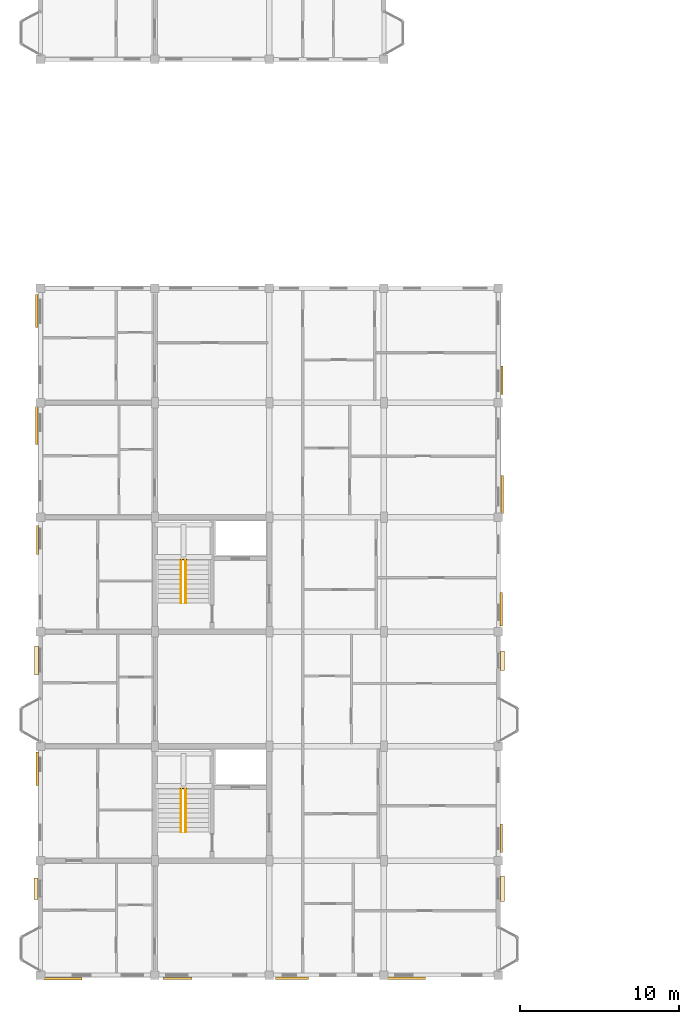
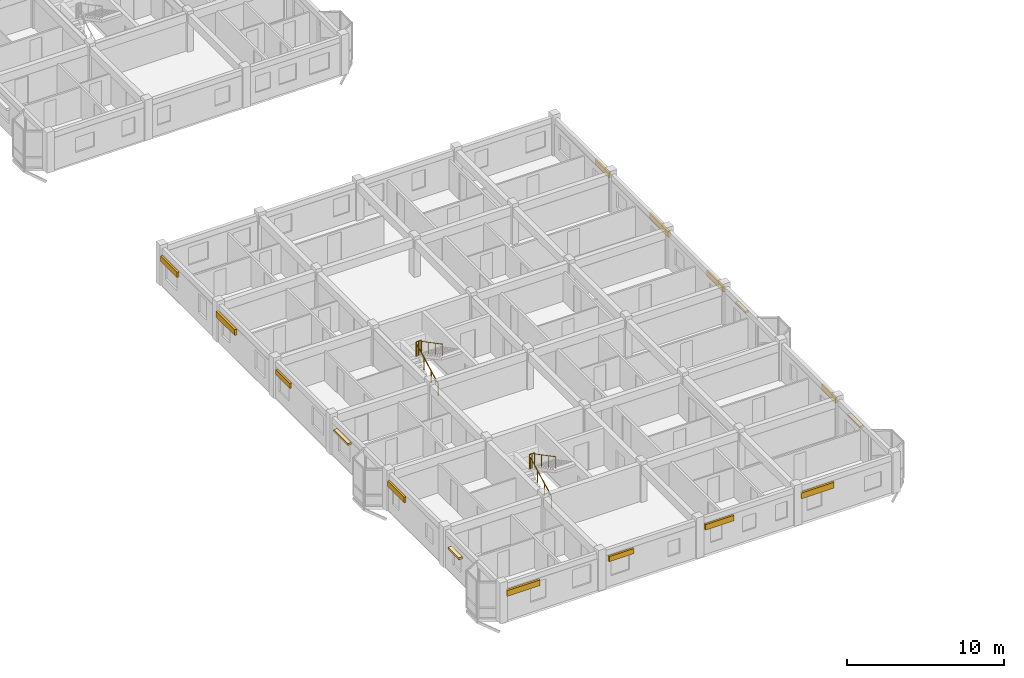
# One storey, part 74 of 77: 12 shading devices, 6 railings, 4 coverings.
"""IFC4 building model written with IfcOpenShell, lengths in metres."""

import ifcopenshell
import ifcopenshell.guid

model = None  # the IFC model being written
_history = None  # IfcOwnerHistory: only IFC2X3 demands one
_inside = {}  # id of a spatial element -> (the spatial element, [elements in it])
_under = {}  # id of a project, library or spatial element -> (it, [spatial elements below it])
_declared = {}  # id of a project -> (the project, [libraries it declares])
_typed = {}  # id of a type object -> (the type object, [elements of that type])
_made_of = {}  # id of a material, layer set ... -> (it, [elements and type objects made of it])


def new_model(schema):
    """Start an empty IFC model of exactly this schema.

    Asked for "IFC4X3", IfcOpenShell would pick the latest addendum, in which some entities
    have other attributes; the version numbers below select the first issue.
    IFC2X3 requires an IfcOwnerHistory on every rooted entity: one is made here for all.
    """
    global model, _history
    if schema == "IFC4X3":
        model = ifcopenshell.file(schema_version=(4, 3, 0, 0))
    else:
        model = ifcopenshell.file(schema=schema)
    _inside.clear()
    _under.clear()
    _declared.clear()
    _typed.clear()
    _made_of.clear()
    _history = None
    if model.schema == "IFC2X3":
        org = make("IfcOrganization", Name="unknown")
        user = make(
            "IfcPersonAndOrganization",
            ThePerson=make("IfcPerson", FamilyName="unknown"),
            TheOrganization=org,
        )
        app = make(
            "IfcApplication",
            ApplicationDeveloper=org,
            Version="unknown",
            ApplicationFullName="unknown",
            ApplicationIdentifier="unknown",
        )
        _history = make(
            "IfcOwnerHistory",
            OwningUser=user,
            OwningApplication=app,
            ChangeAction="ADDED",
            CreationDate=0,
        )
    return model


def make(cls, **values):
    """One entity of the class cls with the attributes given. An attribute that is None is left unset."""
    return model.create_entity(
        cls, **{name: value for name, value in values.items() if value is not None}
    )


def rooted(cls, **values):
    """An entity with a GlobalId (a new one), such as an element, a storey or a relation."""
    return make(cls, GlobalId=ifcopenshell.guid.new(), OwnerHistory=_history, **values)


def si_unit(unit_type, name, prefix=None):
    """IfcSIUnit, for example si_unit("LENGTHUNIT", "METRE", prefix="MILLI")."""
    return make("IfcSIUnit", UnitType=unit_type, Prefix=prefix, Name=name)


def assignment(units):
    """IfcUnitAssignment: the units of a project."""
    return None if units is None else make("IfcUnitAssignment", Units=units)


def point(xyz):
    """IfcCartesianPoint."""
    return None if xyz is None else make("IfcCartesianPoint", Coordinates=xyz)


def direction(xyz):
    """IfcDirection."""
    return None if xyz is None else make("IfcDirection", DirectionRatios=xyz)


def frame(location, z_axis=None, x_axis=None):
    """IfcAxis2Placement3D, a coordinate frame: its origin and axes. An axis left out is left unset."""
    return make(
        "IfcAxis2Placement3D",
        Location=point(location),
        Axis=direction(z_axis),
        RefDirection=direction(x_axis),
    )


def frame_2d(location, x_axis=None):
    """IfcAxis2Placement2D, a coordinate frame in the plane: its origin and x axis."""
    return make(
        "IfcAxis2Placement2D", Location=point(location), RefDirection=direction(x_axis)
    )


def origin():
    """The frame at (0, 0, 0) with its axes left unset."""
    return frame((0.0, 0.0, 0.0))


def origin_2d():
    """The frame at (0, 0) in the plane with its x axis left unset."""
    return frame_2d((0.0, 0.0))


def place(relative_to, where):
    """IfcLocalPlacement: puts the frame where relative to a parent placement (None: the world)."""
    return make(
        "IfcLocalPlacement", PlacementRelTo=relative_to, RelativePlacement=where
    )


def context(
    kind, dimensions, precision=None, world=None, true_north=None, identifier=None
):
    """IfcGeometricRepresentationContext, for example the 3D "Model" context."""
    return make(
        "IfcGeometricRepresentationContext",
        ContextIdentifier=identifier,
        ContextType=kind,
        CoordinateSpaceDimension=dimensions,
        Precision=precision,
        WorldCoordinateSystem=world,
        TrueNorth=true_north,
    )


def subcontext(parent, identifier, kind, view, scale=None):
    """IfcGeometricRepresentationSubContext, for example "Body" below "Model"."""
    return make(
        "IfcGeometricRepresentationSubContext",
        ContextIdentifier=identifier,
        ContextType=kind,
        ParentContext=parent,
        TargetScale=scale,
        TargetView=view,
    )


def project(units=None, contexts=None):
    """IfcProject with its units and contexts."""
    return rooted(
        "IfcProject",
        Name="project",
        RepresentationContexts=contexts,
        UnitsInContext=assignment(units),
    )


def spatial(cls, under=None, at=None, **own):
    """A site, building, storey or space (cls), placed at a placement, below another one or the project."""
    s = rooted(cls, ObjectPlacement=at, **own)
    if under is not None:
        _under.setdefault(under.id(), (under, []))[1].append(s)
    return s


def profile(cls, at=None, kind="AREA", **sizes):
    """A parametric profile (cls). Its sizes go by their IFC names, for example OverallWidth=200.0."""
    return make(cls, ProfileType=kind, Position=at, **sizes)


def rectangle(**sizes):
    """IfcRectangleProfileDef."""
    return profile("IfcRectangleProfileDef", **sizes)


def circle(**sizes):
    """IfcCircleProfileDef."""
    return profile("IfcCircleProfileDef", **sizes)


def extrude(swept, where, along, depth):
    """IfcExtrudedAreaSolid: the profile swept, set in the frame where, extruded along a direction by depth."""
    return make(
        "IfcExtrudedAreaSolid",
        SweptArea=swept,
        Position=where,
        ExtrudedDirection=direction(along),
        Depth=depth,
    )


def shape(context_of_items, identifier, shape_type, items):
    """IfcShapeRepresentation: the items that make up one representation, for example the "Body"."""
    return make(
        "IfcShapeRepresentation",
        ContextOfItems=context_of_items,
        RepresentationIdentifier=identifier,
        RepresentationType=shape_type,
        Items=items,
    )


def material(Name=None, Category=None):
    """IfcMaterial."""
    return make("IfcMaterial", Name=Name, Category=Category)


def layer(
    of_material, thickness, ventilated=None, Name=None, Category=None, Priority=None
):
    """IfcMaterialLayer: one layer of a wall or slab, of a material (None: an air gap)."""
    return make(
        "IfcMaterialLayer",
        Material=of_material,
        LayerThickness=thickness,
        IsVentilated=ventilated,
        Name=Name,
        Category=Category,
        Priority=Priority,
    )


def layer_set(layers, Name=None):
    """IfcMaterialLayerSet."""
    return make("IfcMaterialLayerSet", MaterialLayers=layers, LayerSetName=Name)


def made_of(thing, what):
    """Note that an element or type object is made of a material, layer set ...; save() writes the relation."""
    if what is not None:
        _made_of.setdefault(what.id(), (what, []))[1].append(thing)
    return thing


def type_object(cls, material=None, **own):
    """A type object (cls), such as IfcWallType, which elements share."""
    return made_of(rooted(cls, **own), material)


def element(
    cls,
    number,
    at=None,
    inside=None,
    cuts=None,
    type_object=None,
    material=None,
    context=None,
    identifier="Body",
    shape_type=None,
    held_by="IfcProductDefinitionShape",
    body=None,
    shapes=None,
    **own,
):
    """One element of the class cls, such as IfcWall. Its Tag is "e" and its number.

    at: its placement. inside: the storey or other place that contains it. cuts: it is an
    opening in that element (IfcRelVoidsElement). A single representation is given by context,
    identifier, shape_type and body (its items); several are given by shapes. held_by: the class
    of the entity that holds the representations. save() writes the other relations.
    """
    e = rooted(cls, Tag="e%d" % number, ObjectPlacement=at, **own)
    if body is not None:
        shapes = [shape(context, identifier, shape_type, body)]
    if shapes is not None:
        e.Representation = make(held_by, Representations=shapes)
    if inside is not None:
        _inside.setdefault(inside.id(), (inside, []))[1].append(e)
    if cuts is not None:
        rooted(
            "IfcRelVoidsElement", RelatingBuildingElement=cuts, RelatedOpeningElement=e
        )
    if type_object is not None:
        _typed.setdefault(type_object.id(), (type_object, []))[1].append(e)
    return made_of(e, material)


def aggregate(whole, parts):
    """IfcRelAggregates: a whole, such as a stair, and the parts it consists of."""
    return rooted("IfcRelAggregates", RelatingObject=whole, RelatedObjects=parts)


def save(model, path):
    """Write the relations noted so far, then the file.

    IfcRelAggregates (storeys below a building ...), IfcRelContainedInSpatialStructure (elements
    in a storey), IfcRelDefinesByType, IfcRelAssociatesMaterial and IfcRelDeclares: one each for
    every whole, place, type object, material and project.
    """
    for whole, parts in _under.values():
        aggregate(whole, parts)
    for where, things in _inside.values():
        rooted(
            "IfcRelContainedInSpatialStructure",
            RelatedElements=things,
            RelatingStructure=where,
        )
    for kind, things in _typed.values():
        rooted("IfcRelDefinesByType", RelatedObjects=things, RelatingType=kind)
    for what, things in _made_of.values():
        rooted("IfcRelAssociatesMaterial", RelatedObjects=things, RelatingMaterial=what)
    for by, libraries in _declared.values():
        rooted("IfcRelDeclares", RelatingContext=by, RelatedDefinitions=libraries)
    model.write(path)


model = new_model("IFC4")

# Units and contexts
model_context = context("Model", 3, precision=1e-05, world=origin(), true_north=direction((0.0, 1.0)))
body_context = subcontext(model_context, "Body", "Model", "MODEL_VIEW")
ifc_project = project(units=[si_unit("LENGTHUNIT", "METRE"), si_unit("AREAUNIT", "SQUARE_METRE"), si_unit("VOLUMEUNIT", "CUBIC_METRE"), si_unit("PLANEANGLEUNIT", "RADIAN"), si_unit("MASSUNIT", "GRAM", prefix="KILO"), si_unit("THERMODYNAMICTEMPERATUREUNIT", "KELVIN"), si_unit("POWERUNIT", "WATT")], contexts=[model_context])

# Site, building, storey
site_placement = place(None, origin())
site = spatial("IfcSite", under=ifc_project, at=site_placement, CompositionType="ELEMENT")
building_placement = place(site_placement, origin())
building = spatial("IfcBuilding", under=site, at=building_placement, Name="Tavuni Mirador Residences", CompositionType="ELEMENT")
storey_placement = place(building_placement, frame((0.0, 0.0, 10.800048828125)))
storey = spatial("IfcBuildingStorey", under=building, at=storey_placement, Name="L03", CompositionType="ELEMENT", Elevation=10.800048828125)

# Coverings
ifc_material_1 = material(Name="Natural coral limestone", Category="masonry")
ifc_layer = layer(ifc_material_1, 0.054931640625, Name="Natural coral limestone", Category="masonry")
ifc_layer_set = layer_set([ifc_layer], Name="Natural coral limestone")
covering_type = type_object("IfcCoveringType", Name="CVT-CLAD-CORAL", PredefinedType="CLADDING", material=ifc_layer_set)
covering_1_placement = place(storey_placement, frame((32.672119140625, 12.632568359375, 1.9501953125), z_axis=(0.0, 0.0, 1.0), x_axis=(0.0, 1.0, 0.0)))
element("IfcCovering", 1, at=covering_1_placement, inside=storey, type_object=covering_type, Name="HOOD-0091", PredefinedType="CLADDING", context=body_context, shape_type="SweptSolid", body=[
    extrude(rectangle(XDim=1.60009765625, YDim=0.260009765625, at=origin_2d()), origin(), (0.0, 0.0, 1.0), 0.159912109375),
])
covering_2_placement = place(storey_placement, frame((32.654541015625, 26.982421875, 2.06005859375), z_axis=(0.0, 0.0, 1.0), x_axis=(0.0, 1.0, 0.0)))
element("IfcCovering", 2, at=covering_2_placement, inside=storey, type_object=covering_type, Name="HOOD-0092", PredefinedType="CLADDING", context=body_context, shape_type="SweptSolid", body=[
    extrude(rectangle(XDim=1.239990234375, YDim=0.260009765625, at=origin_2d()), origin(), (0.0, 0.0, 1.0), 0.159912109375),
])
covering_3_placement = place(storey_placement, frame((3.345458984375, 26.99755859375, 2.240234375), z_axis=(0.0, 0.0, 1.0), x_axis=(0.0, -1.0, 0.0)))
element("IfcCovering", 3, at=covering_3_placement, inside=storey, type_object=covering_type, Name="HOOD-0093", PredefinedType="CLADDING", context=body_context, shape_type="SweptSolid", body=[
    extrude(rectangle(XDim=1.81005859375, YDim=0.260009765625, at=origin_2d()), origin(), (0.0, 0.0, 1.0), 0.159912109375),
])
covering_4_placement = place(storey_placement, frame((3.327880859375, 12.6474609375, 1.9501953125), z_axis=(0.0, 0.0, 1.0), x_axis=(0.0, -1.0, 0.0)))
element("IfcCovering", 4, at=covering_4_placement, inside=storey, type_object=covering_type, Name="HOOD-0094", PredefinedType="CLADDING", context=body_context, shape_type="SweptSolid", body=[
    extrude(rectangle(XDim=1.360107421875, YDim=0.260009765625, at=origin_2d()), origin(), (0.0, 0.0, 1.0), 0.159912109375),
])

# Railings
ifc_material_2 = material(Name="Structural steel S355", Category="steel")
railing_type_1 = type_object("IfcRailingType", Name="RT-GR1120", PredefinedType="GUARDRAIL", material=ifc_material_2)
for number, where, name in (
    (5, (12.419921875, 18.93994140625, 1.574951171875), "GRD-HL-ST1-L03"),
    (6, (12.419921875, 33.340087890625, 1.574951171875), "GRD-HL-ST2-L03"),
):
    element("IfcRailing", number, at=place(storey_placement, frame(where)), inside=storey, type_object=railing_type_1, Name=name, PredefinedType="GUARDRAIL", context=body_context, shape_type="SweptSolid", body=[
        extrude(circle(Radius=0.02392578125, at=origin_2d()), frame((0.0, 0.0, 1.09619140625), z_axis=(1.0, 0.0, 0.0), x_axis=(0.0, 1.0, 0.0)), (0.0, 0.0, 1.0), 0.360107421875),
        extrude(circle(Radius=0.02099609375, at=origin_2d()), origin(), (0.0, 0.0, 1.0), 1.072021484375),
        extrude(circle(Radius=0.02099609375, at=origin_2d()), frame((0.18017578125, 0.0, 0.0)), (0.0, 0.0, 1.0), 1.072021484375),
        extrude(circle(Radius=0.02099609375, at=origin_2d()), frame((0.360107421875, 0.0, 0.0)), (0.0, 0.0, 1.0), 1.072021484375),
    ])
railing_type_2 = type_object("IfcRailingType", Name="RT-HR920", PredefinedType="HANDRAIL", material=ifc_material_2)
railing_1_placement = place(storey_placement, frame((12.449951171875, 16.199951171875, 0.157470703125)))
element("IfcRailing", 7, at=railing_1_placement, inside=storey, type_object=railing_type_2, Name="HR-ST1-L03-F1", PredefinedType="HANDRAIL", context=body_context, shape_type="SweptSolid", body=[
    extrude(circle(Radius=0.02392578125, at=origin_2d()), frame((0.0, 0.0, 0.89599609375), z_axis=(0.0, 0.885397079081, 0.464835468048), x_axis=(-1.0, 0.0, 0.0)), (0.0, 0.0, 1.0), 3.04931640625),
    extrude(circle(Radius=0.02099609375, at=origin_2d()), origin(), (0.0, 0.0, 1.0), 0.871826171875),
    extrude(circle(Radius=0.02099609375, at=origin_2d()), frame((0.0, 0.89990234375, 0.472412109375)), (0.0, 0.0, 1.0), 0.871826171875),
    extrude(circle(Radius=0.02099609375, at=origin_2d()), frame((0.0, 1.800048828125, 0.945068359375)), (0.0, 0.0, 1.0), 0.871826171875),
    extrude(circle(Radius=0.02099609375, at=origin_2d()), frame((0.0, 2.699951171875, 1.41748046875)), (0.0, 0.0, 1.0), 0.871826171875),
])
railing_2_placement = place(storey_placement, frame((12.75, 18.89990234375, 1.732421875)))
element("IfcRailing", 8, at=railing_2_placement, inside=storey, type_object=railing_type_2, Name="HR-ST1-L03-F2", PredefinedType="HANDRAIL", context=body_context, shape_type="SweptSolid", body=[
    extrude(circle(Radius=0.02392578125, at=origin_2d()), frame((0.0, 0.0, 0.89599609375), z_axis=(0.0, -0.885397079081, 0.464835468048), x_axis=(1.0, 0.0, 0.0)), (0.0, 0.0, 1.0), 3.04931640625),
    extrude(circle(Radius=0.02099609375, at=origin_2d()), origin(), (0.0, 0.0, 1.0), 0.871826171875),
    extrude(circle(Radius=0.02099609375, at=origin_2d()), frame((0.0, -0.89990234375, 0.472412109375)), (0.0, 0.0, 1.0), 0.871826171875),
    extrude(circle(Radius=0.02099609375, at=origin_2d()), frame((0.0, -1.800048828125, 0.945068359375)), (0.0, 0.0, 1.0), 0.871826171875),
    extrude(circle(Radius=0.02099609375, at=origin_2d()), frame((0.0, -2.699951171875, 1.41748046875)), (0.0, 0.0, 1.0), 0.871826171875),
])
railing_3_placement = place(storey_placement, frame((12.449951171875, 30.60009765625, 0.157470703125)))
element("IfcRailing", 9, at=railing_3_placement, inside=storey, type_object=railing_type_2, Name="HR-ST2-L03-F1", PredefinedType="HANDRAIL", context=body_context, shape_type="SweptSolid", body=[
    extrude(circle(Radius=0.02392578125, at=origin_2d()), frame((0.0, 0.0, 0.89599609375), z_axis=(0.0, 0.885397079081, 0.464835468048), x_axis=(-1.0, 0.0, 0.0)), (0.0, 0.0, 1.0), 3.04931640625),
    extrude(circle(Radius=0.02099609375, at=origin_2d()), origin(), (0.0, 0.0, 1.0), 0.871826171875),
    extrude(circle(Radius=0.02099609375, at=origin_2d()), frame((0.0, 0.89990234375, 0.472412109375)), (0.0, 0.0, 1.0), 0.871826171875),
    extrude(circle(Radius=0.02099609375, at=origin_2d()), frame((0.0, 1.800048828125, 0.945068359375)), (0.0, 0.0, 1.0), 0.871826171875),
    extrude(circle(Radius=0.02099609375, at=origin_2d()), frame((0.0, 2.699951171875, 1.41748046875)), (0.0, 0.0, 1.0), 0.871826171875),
])
railing_4_placement = place(storey_placement, frame((12.75, 33.300048828125, 1.732421875)))
element("IfcRailing", 10, at=railing_4_placement, inside=storey, type_object=railing_type_2, Name="HR-ST2-L03-F2", PredefinedType="HANDRAIL", context=body_context, shape_type="SweptSolid", body=[
    extrude(circle(Radius=0.02392578125, at=origin_2d()), frame((0.0, 0.0, 0.89599609375), z_axis=(0.0, -0.885397079081, 0.464835468048), x_axis=(1.0, 0.0, 0.0)), (0.0, 0.0, 1.0), 3.04931640625),
    extrude(circle(Radius=0.02099609375, at=origin_2d()), origin(), (0.0, 0.0, 1.0), 0.871826171875),
    extrude(circle(Radius=0.02099609375, at=origin_2d()), frame((0.0, -0.89990234375, 0.472412109375)), (0.0, 0.0, 1.0), 0.871826171875),
    extrude(circle(Radius=0.02099609375, at=origin_2d()), frame((0.0, -1.800048828125, 0.945068359375)), (0.0, 0.0, 1.0), 0.871826171875),
    extrude(circle(Radius=0.02099609375, at=origin_2d()), frame((0.0, -2.699951171875, 1.41748046875)), (0.0, 0.0, 1.0), 0.871826171875),
])

# Shading devices
ifc_material_3 = material(Name="Solid core iroko timber", Category="wood")
shading_device_type_1 = type_object("IfcShadingDeviceType", Name="SHT-LV1800", PredefinedType="JALOUSIE", material=ifc_material_3)
for number, where, z_axis, x_axis, name in (
    (11, (12.22509765625, 6.99560546875, 2.02001953125), (0.0, 0.0, 1.0), (1.0, 0.0, 0.0), "SHD-018"),
    (12, (32.6044921875, 15.824951171875, 2.02001953125), (0.0, 0.0, 1.0), (0.0, 1.0, 0.0), "SHD-021"),
    (13, (32.62451171875, 44.625, 2.02001953125), (0.0, 0.0, 1.0), (0.0, 1.0, 0.0), "SHD-024"),
    (14, (3.410400390625, 34.574951171875, 2.02001953125), (0.0, 0.0, 1.0), (0.0, -1.0, 0.0), "SHD-027"),
):
    element("IfcShadingDevice", number, at=place(storey_placement, frame(where, z_axis=z_axis, x_axis=x_axis)), inside=storey, type_object=shading_device_type_1, Name=name, PredefinedType="JALOUSIE", context=body_context, shape_type="SweptSolid", body=[
        extrude(rectangle(XDim=1.800048828125, YDim=0.139892578125, at=origin_2d()), origin(), (0.0, 0.0, 1.0), 0.39990234375),
    ])
shading_device_type_2 = type_object("IfcShadingDeviceType", Name="SHT-LV2100", PredefinedType="JALOUSIE", material=ifc_material_3)
for number, where, z_axis, x_axis, name in (
    (15, (19.425048828125, 7.00048828125, 2.0), (0.0, 0.0, 1.0), (1.0, 0.0, 0.0), "SHD-019"),
    (16, (32.594482421875, 30.22509765625, 2.0), (0.0, 0.0, 1.0), (0.0, 1.0, 0.0), "SHD-022"),
    (17, (3.37060546875, 48.97509765625, 2.0), (0.0, 0.0, 1.0), (0.0, -1.0, 0.0), "SHD-025"),
    (18, (3.390380859375, 20.175048828125, 2.0), (0.0, 0.0, 1.0), (0.0, -1.0, 0.0), "SHD-028"),
):
    element("IfcShadingDevice", number, at=place(storey_placement, frame(where, z_axis=z_axis, x_axis=x_axis)), inside=storey, type_object=shading_device_type_2, Name=name, PredefinedType="JALOUSIE", context=body_context, shape_type="SweptSolid", body=[
        extrude(rectangle(XDim=2.10009765625, YDim=0.14990234375, at=origin_2d()), origin(), (0.0, 0.0, 1.0), 0.419921875),
    ])
shading_device_type_3 = type_object("IfcShadingDeviceType", Name="SHT-LV2400", PredefinedType="JALOUSIE", material=ifc_material_3)
for number, where, z_axis, x_axis, name in (
    (19, (5.02490234375, 6.97802734375, 1.97021484375), (0.0, 0.0, 1.0), (1.0, 0.0, 0.0), "SHD-017"),
    (20, (26.625, 7.00048828125, 1.97021484375), (0.0, 0.0, 1.0), (1.0, 0.0, 0.0), "SHD-020"),
    (21, (32.64208984375, 37.425048828125, 1.97021484375), (0.0, 0.0, 1.0), (0.0, 1.0, 0.0), "SHD-023"),
    (22, (3.35791015625, 41.77490234375, 1.97021484375), (0.0, 0.0, 1.0), (0.0, -1.0, 0.0), "SHD-026"),
):
    element("IfcShadingDevice", number, at=place(storey_placement, frame(where, z_axis=z_axis, x_axis=x_axis)), inside=storey, type_object=shading_device_type_3, Name=name, PredefinedType="JALOUSIE", context=body_context, shape_type="SweptSolid", body=[
        extrude(rectangle(XDim=2.39990234375, YDim=0.159912109375, at=origin_2d()), origin(), (0.0, 0.0, 1.0), 0.449951171875),
    ])

save(model, "model.ifc")
